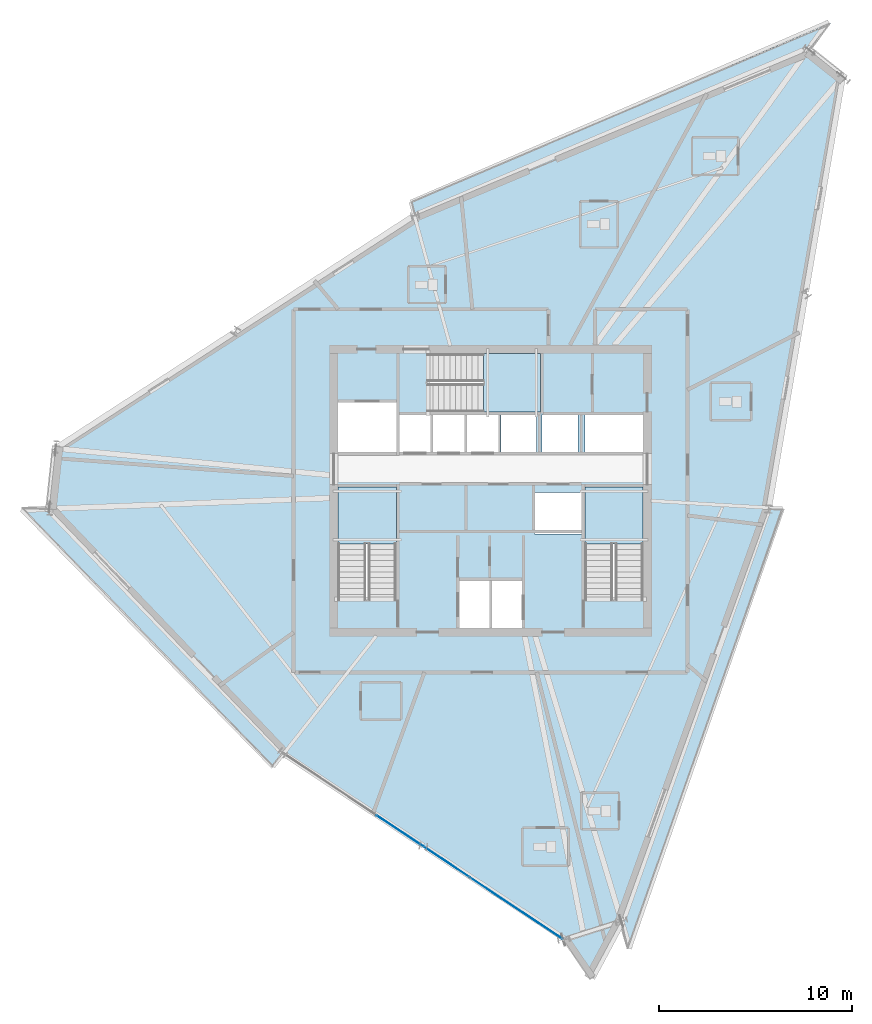
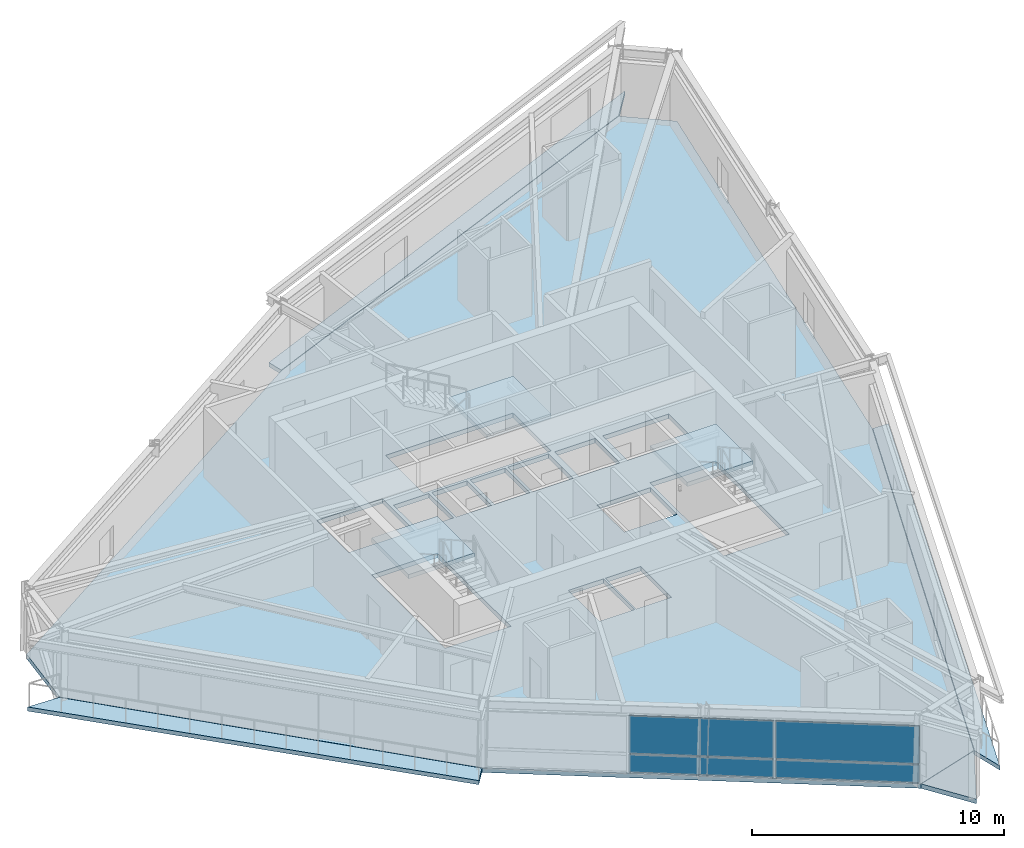
# One storey, part 5 of 15: 8 slabs, 4 plates, 4 elements without a shape of their own.
"""IFC4 building model written with IfcOpenShell, lengths in metres."""

import ifcopenshell
import ifcopenshell.guid

model = None  # the IFC model being written
_history = None  # IfcOwnerHistory: only IFC2X3 demands one
_inside = {}  # id of a spatial element -> (the spatial element, [elements in it])
_under = {}  # id of a project, library or spatial element -> (it, [spatial elements below it])
_declared = {}  # id of a project -> (the project, [libraries it declares])
_typed = {}  # id of a type object -> (the type object, [elements of that type])
_made_of = {}  # id of a material, layer set ... -> (it, [elements and type objects made of it])


def new_model(schema):
    """Start an empty IFC model of exactly this schema.

    Asked for "IFC4X3", IfcOpenShell would pick the latest addendum, in which some entities
    have other attributes; the version numbers below select the first issue.
    IFC2X3 requires an IfcOwnerHistory on every rooted entity: one is made here for all.
    """
    global model, _history
    if schema == "IFC4X3":
        model = ifcopenshell.file(schema_version=(4, 3, 0, 0))
    else:
        model = ifcopenshell.file(schema=schema)
    _inside.clear()
    _under.clear()
    _declared.clear()
    _typed.clear()
    _made_of.clear()
    _history = None
    if model.schema == "IFC2X3":
        org = make("IfcOrganization", Name="unknown")
        user = make(
            "IfcPersonAndOrganization",
            ThePerson=make("IfcPerson", FamilyName="unknown"),
            TheOrganization=org,
        )
        app = make(
            "IfcApplication",
            ApplicationDeveloper=org,
            Version="unknown",
            ApplicationFullName="unknown",
            ApplicationIdentifier="unknown",
        )
        _history = make(
            "IfcOwnerHistory",
            OwningUser=user,
            OwningApplication=app,
            ChangeAction="ADDED",
            CreationDate=0,
        )
    return model


def make(cls, **values):
    """One entity of the class cls with the attributes given. An attribute that is None is left unset."""
    return model.create_entity(
        cls, **{name: value for name, value in values.items() if value is not None}
    )


def rooted(cls, **values):
    """An entity with a GlobalId (a new one), such as an element, a storey or a relation."""
    return make(cls, GlobalId=ifcopenshell.guid.new(), OwnerHistory=_history, **values)


def si_unit(unit_type, name, prefix=None):
    """IfcSIUnit, for example si_unit("LENGTHUNIT", "METRE", prefix="MILLI")."""
    return make("IfcSIUnit", UnitType=unit_type, Prefix=prefix, Name=name)


def assignment(units):
    """IfcUnitAssignment: the units of a project."""
    return None if units is None else make("IfcUnitAssignment", Units=units)


def point(xyz):
    """IfcCartesianPoint."""
    return None if xyz is None else make("IfcCartesianPoint", Coordinates=xyz)


def direction(xyz):
    """IfcDirection."""
    return None if xyz is None else make("IfcDirection", DirectionRatios=xyz)


def frame(location, z_axis=None, x_axis=None):
    """IfcAxis2Placement3D, a coordinate frame: its origin and axes. An axis left out is left unset."""
    return make(
        "IfcAxis2Placement3D",
        Location=point(location),
        Axis=direction(z_axis),
        RefDirection=direction(x_axis),
    )


def frame_2d(location, x_axis=None):
    """IfcAxis2Placement2D, a coordinate frame in the plane: its origin and x axis."""
    return make(
        "IfcAxis2Placement2D", Location=point(location), RefDirection=direction(x_axis)
    )


def origin():
    """The frame at (0, 0, 0) with its axes left unset."""
    return frame((0.0, 0.0, 0.0))


def origin_2d():
    """The frame at (0, 0) in the plane with its x axis left unset."""
    return frame_2d((0.0, 0.0))


def place(relative_to, where):
    """IfcLocalPlacement: puts the frame where relative to a parent placement (None: the world)."""
    return make(
        "IfcLocalPlacement", PlacementRelTo=relative_to, RelativePlacement=where
    )


def context(
    kind, dimensions, precision=None, world=None, true_north=None, identifier=None
):
    """IfcGeometricRepresentationContext, for example the 3D "Model" context."""
    return make(
        "IfcGeometricRepresentationContext",
        ContextIdentifier=identifier,
        ContextType=kind,
        CoordinateSpaceDimension=dimensions,
        Precision=precision,
        WorldCoordinateSystem=world,
        TrueNorth=true_north,
    )


def subcontext(parent, identifier, kind, view, scale=None):
    """IfcGeometricRepresentationSubContext, for example "Body" below "Model"."""
    return make(
        "IfcGeometricRepresentationSubContext",
        ContextIdentifier=identifier,
        ContextType=kind,
        ParentContext=parent,
        TargetScale=scale,
        TargetView=view,
    )


def project(units=None, contexts=None):
    """IfcProject with its units and contexts."""
    return rooted(
        "IfcProject",
        Name="project",
        RepresentationContexts=contexts,
        UnitsInContext=assignment(units),
    )


def spatial(cls, under=None, at=None, **own):
    """A site, building, storey or space (cls), placed at a placement, below another one or the project."""
    s = rooted(cls, ObjectPlacement=at, **own)
    if under is not None:
        _under.setdefault(under.id(), (under, []))[1].append(s)
    return s


def polyline(points):
    """IfcPolyline through the points."""
    return make("IfcPolyline", Points=[point(p) for p in points])


def profile(cls, at=None, kind="AREA", **sizes):
    """A parametric profile (cls). Its sizes go by their IFC names, for example OverallWidth=200.0."""
    return make(cls, ProfileType=kind, Position=at, **sizes)


def rectangle(**sizes):
    """IfcRectangleProfileDef."""
    return profile("IfcRectangleProfileDef", **sizes)


def outline(outer, holes=None, kind="AREA"):
    """IfcArbitraryClosedProfileDef: a profile drawn as a closed curve; with holes, ...WithVoids."""
    if holes is None:
        return make("IfcArbitraryClosedProfileDef", ProfileType=kind, OuterCurve=outer)
    return make(
        "IfcArbitraryProfileDefWithVoids",
        ProfileType=kind,
        OuterCurve=outer,
        InnerCurves=holes,
    )


def extrude(swept, where, along, depth):
    """IfcExtrudedAreaSolid: the profile swept, set in the frame where, extruded along a direction by depth."""
    return make(
        "IfcExtrudedAreaSolid",
        SweptArea=swept,
        Position=where,
        ExtrudedDirection=direction(along),
        Depth=depth,
    )


def shape(context_of_items, identifier, shape_type, items):
    """IfcShapeRepresentation: the items that make up one representation, for example the "Body"."""
    return make(
        "IfcShapeRepresentation",
        ContextOfItems=context_of_items,
        RepresentationIdentifier=identifier,
        RepresentationType=shape_type,
        Items=items,
    )


def source(mapping_origin, context_of_items, identifier, shape_type, items):
    """IfcRepresentationMap: a shape defined once, which mapped items show again and again."""
    return make(
        "IfcRepresentationMap",
        MappingOrigin=mapping_origin,
        MappedRepresentation=shape(context_of_items, identifier, shape_type, items),
    )


def transform(
    local_origin,
    x_axis=None,
    y_axis=None,
    z_axis=None,
    scale=None,
    scale2=None,
    scale3=None,
    uniform=True,
):
    """IfcCartesianTransformationOperator3D, or its non-uniform kind. x_axis, y_axis, z_axis: its Axis1, 2, 3."""
    if uniform:
        return make(
            "IfcCartesianTransformationOperator3D",
            Axis1=direction(x_axis),
            Axis2=direction(y_axis),
            LocalOrigin=point(local_origin),
            Scale=scale,
            Axis3=direction(z_axis),
        )
    return make(
        "IfcCartesianTransformationOperator3DnonUniform",
        Axis1=direction(x_axis),
        Axis2=direction(y_axis),
        LocalOrigin=point(local_origin),
        Scale=scale,
        Axis3=direction(z_axis),
        Scale2=scale2,
        Scale3=scale3,
    )


def mapped(mapping_source, mapping_target):
    """IfcMappedItem: shows the shape of a source again, moved by a transform."""
    return make(
        "IfcMappedItem", MappingSource=mapping_source, MappingTarget=mapping_target
    )


def material(Name=None, Category=None):
    """IfcMaterial."""
    return make("IfcMaterial", Name=Name, Category=Category)


def layer(
    of_material, thickness, ventilated=None, Name=None, Category=None, Priority=None
):
    """IfcMaterialLayer: one layer of a wall or slab, of a material (None: an air gap)."""
    return make(
        "IfcMaterialLayer",
        Material=of_material,
        LayerThickness=thickness,
        IsVentilated=ventilated,
        Name=Name,
        Category=Category,
        Priority=Priority,
    )


def layer_set(layers, Name=None):
    """IfcMaterialLayerSet."""
    return make("IfcMaterialLayerSet", MaterialLayers=layers, LayerSetName=Name)


def made_of(thing, what):
    """Note that an element or type object is made of a material, layer set ...; save() writes the relation."""
    if what is not None:
        _made_of.setdefault(what.id(), (what, []))[1].append(thing)
    return thing


def type_object(cls, material=None, **own):
    """A type object (cls), such as IfcWallType, which elements share."""
    return made_of(rooted(cls, **own), material)


def element(
    cls,
    number,
    at=None,
    inside=None,
    cuts=None,
    type_object=None,
    material=None,
    context=None,
    identifier="Body",
    shape_type=None,
    held_by="IfcProductDefinitionShape",
    body=None,
    shapes=None,
    **own,
):
    """One element of the class cls, such as IfcWall. Its Tag is "e" and its number.

    at: its placement. inside: the storey or other place that contains it. cuts: it is an
    opening in that element (IfcRelVoidsElement). A single representation is given by context,
    identifier, shape_type and body (its items); several are given by shapes. held_by: the class
    of the entity that holds the representations. save() writes the other relations.
    """
    e = rooted(cls, Tag="e%d" % number, ObjectPlacement=at, **own)
    if body is not None:
        shapes = [shape(context, identifier, shape_type, body)]
    if shapes is not None:
        e.Representation = make(held_by, Representations=shapes)
    if inside is not None:
        _inside.setdefault(inside.id(), (inside, []))[1].append(e)
    if cuts is not None:
        rooted(
            "IfcRelVoidsElement", RelatingBuildingElement=cuts, RelatedOpeningElement=e
        )
    if type_object is not None:
        _typed.setdefault(type_object.id(), (type_object, []))[1].append(e)
    return made_of(e, material)


def aggregate(whole, parts):
    """IfcRelAggregates: a whole, such as a stair, and the parts it consists of."""
    return rooted("IfcRelAggregates", RelatingObject=whole, RelatedObjects=parts)


def save(model, path):
    """Write the relations noted so far, then the file.

    IfcRelAggregates (storeys below a building ...), IfcRelContainedInSpatialStructure (elements
    in a storey), IfcRelDefinesByType, IfcRelAssociatesMaterial and IfcRelDeclares: one each for
    every whole, place, type object, material and project.
    """
    for whole, parts in _under.values():
        aggregate(whole, parts)
    for where, things in _inside.values():
        rooted(
            "IfcRelContainedInSpatialStructure",
            RelatedElements=things,
            RelatingStructure=where,
        )
    for kind, things in _typed.values():
        rooted("IfcRelDefinesByType", RelatedObjects=things, RelatingType=kind)
    for what, things in _made_of.values():
        rooted("IfcRelAssociatesMaterial", RelatedObjects=things, RelatingMaterial=what)
    for by, libraries in _declared.values():
        rooted("IfcRelDeclares", RelatingContext=by, RelatedDefinitions=libraries)
    model.write(path)


model = new_model("IFC4")

# Units and contexts
model_context = context("Model", 3, precision=1e-05, world=origin(), true_north=direction((0.0, 1.0)))
body_context = subcontext(model_context, "Body", "Model", "MODEL_VIEW")
ifc_project = project(units=[si_unit("LENGTHUNIT", "METRE"), si_unit("AREAUNIT", "SQUARE_METRE"), si_unit("VOLUMEUNIT", "CUBIC_METRE"), si_unit("PLANEANGLEUNIT", "RADIAN"), si_unit("MASSUNIT", "GRAM", prefix="KILO")], contexts=[model_context])

# Site, building, storey
site_placement = place(None, origin())
site = spatial("IfcSite", under=ifc_project, at=site_placement, CompositionType="ELEMENT")
building_placement = place(site_placement, origin())
building = spatial("IfcBuilding", under=site, at=building_placement, Name="Olszyna Solenne Hotel", CompositionType="ELEMENT")
storey_placement = place(building_placement, frame((0.0, 0.0, 245.300048828125)))
storey = spatial("IfcBuildingStorey", under=building, at=storey_placement, Name="L65", CompositionType="ELEMENT", Elevation=245.300048828125)

# Stair, slab
ifc_material_1 = material(Name="Concrete C40/50", Category="concrete")
stair_type = type_object("IfcStairType", Name="STR-C1", PredefinedType="TWO_QUARTER_WINDING_STAIR", material=ifc_material_1)
stair_1_placement = place(storey_placement, origin())
stair_1 = element("IfcStair", 1, at=stair_1_placement, inside=storey, type_object=stair_type, Name="L65 ST1", PredefinedType="TWO_QUARTER_WINDING_STAIR")
ifc_layer_1 = layer(ifc_material_1, 0.18994140625, Name="Concrete C40/50")
ifc_layer_set_1 = layer_set([ifc_layer_1], Name="Concrete C40/50")
slab_type_1 = type_object("IfcSlabType", Name="SL-LN190", PredefinedType="LANDING", material=ifc_layer_set_1)
slab_1_placement = place(storey_placement, frame((0.0, 0.0, 1.599853515625)))
slab_1 = element("IfcSlab", 2, at=slab_1_placement, type_object=slab_type_1, Name="ST1 landing 1", PredefinedType="LANDING", context=body_context, shape_type="SweptSolid", body=[
    extrude(outline(polyline([(33.1201171875, 23.85009765625), (33.1201171875, 26.800048828125), (30.10009765625, 26.800048828125), (30.10009765625, 23.85009765625), (33.1201171875, 23.85009765625)])), origin(), (0.0, 0.0, 1.0), 0.2001953125),
])
aggregate(stair_1, [slab_1])

stair_2_placement = place(storey_placement, origin())
stair_2 = element("IfcStair", 3, at=stair_2_placement, inside=storey, type_object=stair_type, Name="L65 ST2", PredefinedType="TWO_QUARTER_WINDING_STAIR")
slab_2_placement = place(storey_placement, frame((0.0, 0.0, 1.599853515625)))
slab_2 = element("IfcSlab", 4, at=slab_2_placement, type_object=slab_type_1, Name="ST2 landing 1", PredefinedType="LANDING", context=body_context, shape_type="SweptSolid", body=[
    extrude(outline(polyline([(45.89990234375, 23.85009765625), (45.89990234375, 26.800048828125), (42.8798828125, 26.800048828125), (42.8798828125, 23.85009765625), (45.89990234375, 23.85009765625)])), origin(), (0.0, 0.0, 1.0), 0.2001953125),
])
aggregate(stair_2, [slab_2])

stair_3_placement = place(storey_placement, origin())
stair_3 = element("IfcStair", 5, at=stair_3_placement, inside=storey, type_object=stair_type, Name="L65 ST3", PredefinedType="TWO_QUARTER_WINDING_STAIR")
slab_3_placement = place(storey_placement, frame((0.0, 0.0, 1.599853515625)))
slab_3 = element("IfcSlab", 6, at=slab_3_placement, type_object=slab_type_1, Name="ST3 landing 1", PredefinedType="LANDING", context=body_context, shape_type="SweptSolid", body=[
    extrude(outline(polyline([(37.6298828125, 30.679931640625), (40.580078125, 30.679931640625), (40.580078125, 33.699951171875), (37.6298828125, 33.699951171875), (37.6298828125, 30.679931640625)])), origin(), (0.0, 0.0, 1.0), 0.2001953125),
])
aggregate(stair_3, [slab_3])

# Slabs
ifc_material_2 = material(Name="Precast concrete C45/55", Category="concrete")
ifc_layer_2 = layer(ifc_material_2, 0.199951171875, Name="Precast concrete C45/55")
ifc_layer_set_2 = layer_set([ifc_layer_2], Name="Precast concrete C45/55")
slab_type_2 = type_object("IfcSlabType", Name="SL-LOG200", PredefinedType="FLOOR", material=ifc_layer_set_2)
slab_4_placement = place(storey_placement, frame((0.0, 0.0, -0.199951171875)))
element("IfcSlab", 7, at=slab_4_placement, inside=storey, type_object=slab_type_2, Name="Exterior loggia balcony slab SL-L65-LG1", PredefinedType="FLOOR", context=body_context, shape_type="SweptSolid", body=[
    extrude(outline(polyline([(34.09423828125, 40.876953125), (54.493408203125, 49.434814453125), (54.49462890625, 49.435302734375), (54.49609375, 49.435791015625), (54.49755859375, 49.43603515625), (54.4990234375, 49.43603515625), (54.50048828125, 49.43603515625), (54.501953125, 49.435791015625), (54.50341796875, 49.435546875), (54.504638671875, 49.43505859375), (54.506103515625, 49.434326171875), (54.50732421875, 49.43359375), (54.50830078125, 49.432861328125), (55.602294921875, 50.819091796875), (33.924072265625, 41.588134765625), (34.09423828125, 40.876953125)])), origin(), (0.0, 0.0, 1.0), 0.199951171875),
])
slab_5_placement = place(storey_placement, frame((0.0, 0.0, -0.199951171875)))
element("IfcSlab", 8, at=slab_5_placement, inside=storey, type_object=slab_type_2, Name="Exterior loggia balcony slab SL-L65-LG2", PredefinedType="FLOOR", context=body_context, shape_type="SweptSolid", body=[
    extrude(outline(polyline([(27.21337890625, 13.021728515625), (27.212890625, 13.022216796875), (27.2119140625, 13.023193359375), (15.134033203125, 25.6513671875), (15.133056640625, 25.652587890625), (15.132080078125, 25.65380859375), (15.13134765625, 25.655029296875), (15.130859375, 25.65625), (15.13037109375, 25.65771484375), (15.130126953125, 25.6591796875), (15.1298828125, 25.660400390625), (15.1298828125, 25.661865234375), (15.1298828125, 25.662353515625), (13.694091796875, 25.7158203125), (26.6708984375, 12.334716796875), (27.21337890625, 13.021728515625)])), origin(), (0.0, 0.0, 1.0), 0.199951171875),
])
slab_6_placement = place(storey_placement, frame((0.0, 0.0, -0.199951171875)))
element("IfcSlab", 9, at=slab_6_placement, inside=storey, type_object=slab_type_2, Name="Exterior loggia balcony slab SL-L65-LG3", PredefinedType="FLOOR", context=body_context, shape_type="SweptSolid", body=[
    extrude(outline(polyline([(52.4228515625, 25.637939453125), (52.422607421875, 25.635986328125), (52.422119140625, 25.634765625), (52.421875, 25.633544921875), (44.772705078125, 4.300048828125), (44.772216796875, 4.299072265625), (44.771728515625, 4.298095703125), (44.763916015625, 4.283203125), (45.106201171875, 2.85302734375), (53.133056640625, 25.611572265625), (52.4228515625, 25.637939453125)])), origin(), (0.0, 0.0, 1.0), 0.199951171875),
])
ifc_material_3 = material(Name="Concrete C50/60", Category="concrete")
ifc_layer_3 = layer(ifc_material_3, 0.219970703125, Name="Concrete C50/60")
ifc_layer_set_3 = layer_set([ifc_layer_3], Name="Concrete C50/60")
slab_type_3 = type_object("IfcSlabType", Name="SL-TW225", PredefinedType="FLOOR", material=ifc_layer_set_3)
slab_7_placement = place(storey_placement, frame((0.0, 0.0, -0.219970703125)))
element("IfcSlab", 10, at=slab_7_placement, inside=storey, type_object=slab_type_3, Name="Floor slab SL-TW225 SL-L65-01", PredefinedType="FLOOR", context=body_context, shape_type="SweptSolid", body=[
    extrude(outline(polyline([(56.33349609375, 47.959228515625), (54.4990234375, 49.421142578125), (34.097900390625, 40.862060546875), (15.490234375, 28.894287109375), (15.144775390625, 25.661865234375), (27.22265625, 13.03369140625), (41.773681640625, 3.3583984375), (44.758544921875, 4.30517578125), (52.40771484375, 25.638671875), (56.33349609375, 47.959228515625)]), holes=[polyline([(30.10009765625, 20.949951171875), (33.1201171875, 20.949951171875), (33.1201171875, 26.800048828125), (30.10009765625, 26.800048828125), (30.10009765625, 20.949951171875)]), polyline([(42.8798828125, 20.949951171875), (45.89990234375, 20.949951171875), (45.89990234375, 26.800048828125), (42.8798828125, 26.800048828125), (42.8798828125, 20.949951171875)]), polyline([(34.72998046875, 30.679931640625), (40.580078125, 30.679931640625), (40.580078125, 33.699951171875), (34.72998046875, 33.699951171875), (34.72998046875, 30.679931640625)]), polyline([(36.340087890625, 19.5), (37.9599609375, 19.5), (37.9599609375, 21.9599609375), (36.340087890625, 21.9599609375), (36.340087890625, 19.5)]), polyline([(38.0400390625, 19.5), (39.659912109375, 19.5), (39.659912109375, 21.9599609375), (38.0400390625, 21.9599609375), (38.0400390625, 19.5)]), polyline([(30.10009765625, 28.60009765625), (33.1201171875, 28.60009765625), (33.1201171875, 31.159912109375), (30.10009765625, 31.159912109375), (30.10009765625, 28.60009765625)]), polyline([(40.280029296875, 24.360107421875), (42.719970703125, 24.360107421875), (42.719970703125, 26.5), (40.280029296875, 26.5), (40.280029296875, 24.360107421875)]), polyline([(33.280029296875, 28.60009765625), (34.89990234375, 28.60009765625), (34.89990234375, 30.550048828125), (33.280029296875, 30.550048828125), (33.280029296875, 28.60009765625)]), polyline([(35.030029296875, 28.60009765625), (36.64990234375, 28.60009765625), (36.64990234375, 30.550048828125), (35.030029296875, 30.550048828125), (35.030029296875, 28.60009765625)]), polyline([(36.780029296875, 28.60009765625), (38.39990234375, 28.60009765625), (38.39990234375, 30.550048828125), (36.780029296875, 30.550048828125), (36.780029296875, 28.60009765625)]), polyline([(38.530029296875, 28.60009765625), (40.389892578125, 28.60009765625), (40.389892578125, 30.550048828125), (38.530029296875, 30.550048828125), (38.530029296875, 28.60009765625)]), polyline([(40.659912109375, 28.60009765625), (42.52001953125, 28.60009765625), (42.52001953125, 30.550048828125), (40.659912109375, 30.550048828125), (40.659912109375, 28.60009765625)]), polyline([(42.8798828125, 28.60009765625), (45.89990234375, 28.60009765625), (45.89990234375, 30.550048828125), (42.8798828125, 30.550048828125), (42.8798828125, 28.60009765625)])]), origin(), (0.0, 0.0, 1.0), 0.219970703125),
])
slab_8_placement = place(storey_placement, frame((0.0, 0.0, -0.219970703125)))
element("IfcSlab", 11, at=slab_8_placement, inside=storey, type_object=slab_type_3, Name="Faceted glass-prism floor slab SL-L65-PR", PredefinedType="FLOOR", context=body_context, shape_type="SweptSolid", body=[
    extrude(outline(polyline([(44.751708984375, 4.29248046875), (41.779541015625, 3.349609375), (43.151123046875, 1.329833984375), (44.751708984375, 4.29248046875)])), origin(), (0.0, 0.0, 1.0), 0.219970703125),
])

# Curtain wall, plates
ifc_material_4 = material(Name="Anodised bronze aluminium", Category="aluminium")
curtain_wall_type = type_object("IfcCurtainWallType", Name="CW-SYS-4", PredefinedType="NOTDEFINED", material=ifc_material_4)
curtain_wall_placement = place(storey_placement, origin())
curtain_wall = element("IfcCurtainWall", 12, at=curtain_wall_placement, inside=storey, type_object=curtain_wall_type, Name="Unitised curtain wall CW-SYS-4 CW-L65-01", PredefinedType="NOTDEFINED")
ifc_material_5 = material(Name="Terracotta cladding", Category="masonry")
plate_type_1 = type_object("IfcPlateType", Name="PN-SP1", PredefinedType="CURTAIN_PANEL", material=ifc_material_5)
shared_shape_1 = source(origin(), body_context, "Body", "SweptSolid", [
    extrude(rectangle(XDim=5.727294921875, YDim=0.035888671875, at=origin_2d()), origin(), (0.0, 0.0, 1.0), 0.8525390625),
])
plate_1_placement = place(storey_placement, frame((39.3349609375, 4.979736328125, 0.06494140625), z_axis=(0.0, 0.0, 1.0), x_axis=(0.832719691229, -0.553694785816, 0.0)))
plate_1 = element("IfcPlate", 13, at=plate_1_placement, type_object=plate_type_1, Name="Curtain-wall panel PN-SP1 CP-L65-01-05", PredefinedType="CURTAIN_PANEL", context=body_context, shape_type="MappedRepresentation", body=[
    mapped(shared_shape_1, transform((0.0, 0.0, 0.0), x_axis=(1.0, 0.0, 0.0), y_axis=(0.0, 1.0, 0.0), z_axis=(0.0, 0.0, 1.0), scale=1.0)),
])
ifc_material_6 = material(Name="Low-E triple glazing", Category="glass")
plate_type_2 = type_object("IfcPlateType", Name="PN-GL1", PredefinedType="CURTAIN_PANEL", material=ifc_material_6)
shared_shape_2 = source(origin(), body_context, "Body", "SweptSolid", [
    extrude(rectangle(XDim=5.727294921875, YDim=0.035888671875, at=origin_2d()), origin(), (0.0, 0.0, 1.0), 1.824462890625),
])
plate_2_placement = place(storey_placement, frame((39.3349609375, 4.979736328125, 0.982421875), z_axis=(0.0, 0.0, 1.0), x_axis=(0.832719691229, -0.553694785816, 0.0)))
plate_2 = element("IfcPlate", 14, at=plate_2_placement, type_object=plate_type_2, Name="Curtain-wall panel PN-GL1 CP-L65-01-06", PredefinedType="CURTAIN_PANEL", context=body_context, shape_type="MappedRepresentation", body=[
    mapped(shared_shape_2, transform((0.0, 0.0, 0.0), x_axis=(1.0, 0.0, 0.0), y_axis=(0.0, 1.0, 0.0), z_axis=(0.0, 0.0, 1.0), scale=1.0)),
])
shared_shape_3 = source(origin(), body_context, "Body", "SweptSolid", [
    extrude(rectangle(XDim=5.759765625, YDim=0.035888671875, at=origin_2d()), origin(), (0.0, 0.0, 1.0), 0.8525390625),
])
plate_3_placement = place(storey_placement, frame((34.498046875, 8.196044921875, 0.06494140625), z_axis=(0.0, 0.0, 1.0), x_axis=(0.832719691229, -0.553694785816, 0.0)))
plate_3 = element("IfcPlate", 15, at=plate_3_placement, type_object=plate_type_1, Name="Curtain-wall panel PN-SP1 CP-L65-01-03", PredefinedType="CURTAIN_PANEL", context=body_context, shape_type="MappedRepresentation", body=[
    mapped(shared_shape_3, transform((0.0, 0.0, 0.0), x_axis=(1.0, 0.0, 0.0), y_axis=(0.0, 1.0, 0.0), z_axis=(0.0, 0.0, 1.0), scale=1.0)),
])
shared_shape_4 = source(origin(), body_context, "Body", "SweptSolid", [
    extrude(rectangle(XDim=5.759765625, YDim=0.035888671875, at=origin_2d()), origin(), (0.0, 0.0, 1.0), 1.824462890625),
])
plate_4_placement = place(storey_placement, frame((34.498046875, 8.196044921875, 0.982421875), z_axis=(0.0, 0.0, 1.0), x_axis=(0.832719691229, -0.553694785816, 0.0)))
plate_4 = element("IfcPlate", 16, at=plate_4_placement, type_object=plate_type_2, Name="Curtain-wall panel PN-GL1 CP-L65-01-04", PredefinedType="CURTAIN_PANEL", context=body_context, shape_type="MappedRepresentation", body=[
    mapped(shared_shape_4, transform((0.0, 0.0, 0.0), x_axis=(1.0, 0.0, 0.0), y_axis=(0.0, 1.0, 0.0), z_axis=(0.0, 0.0, 1.0), scale=1.0)),
])
aggregate(curtain_wall, [plate_3, plate_4, plate_1, plate_2])

save(model, "model.ifc")
